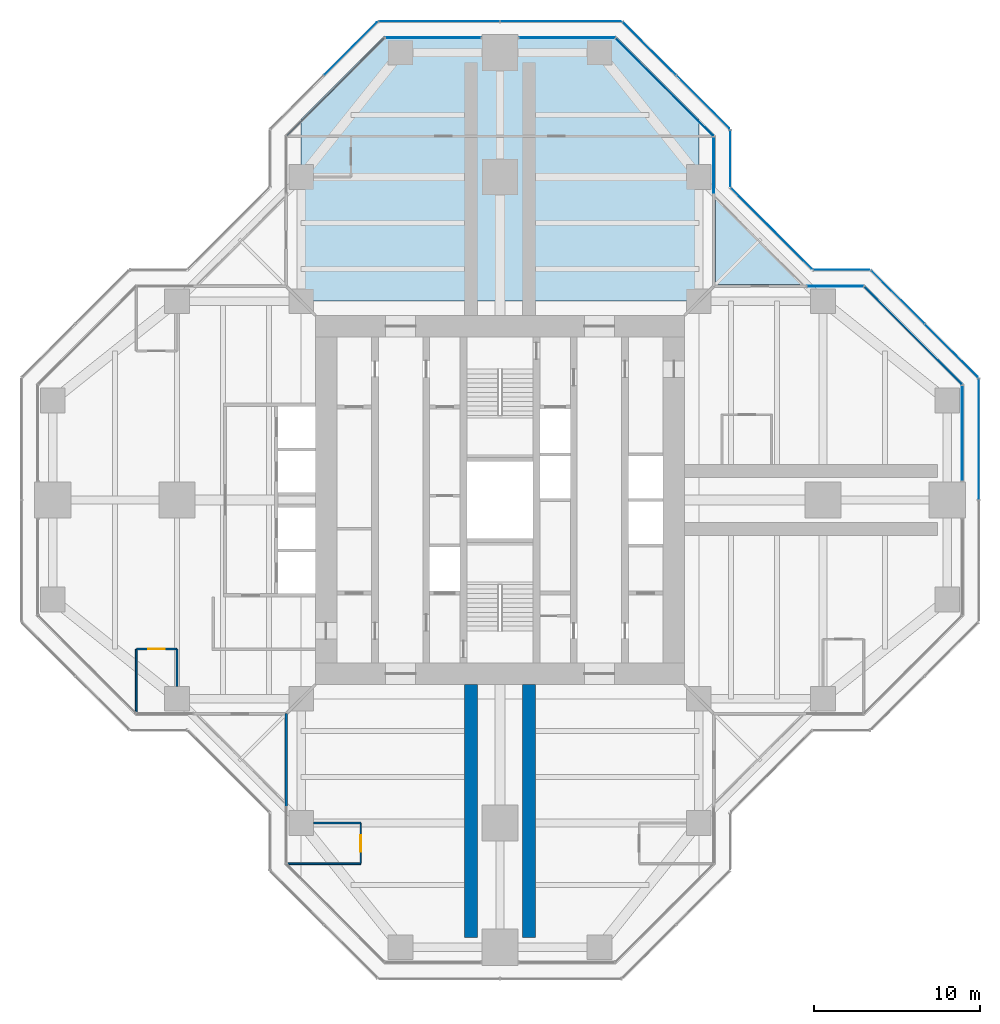
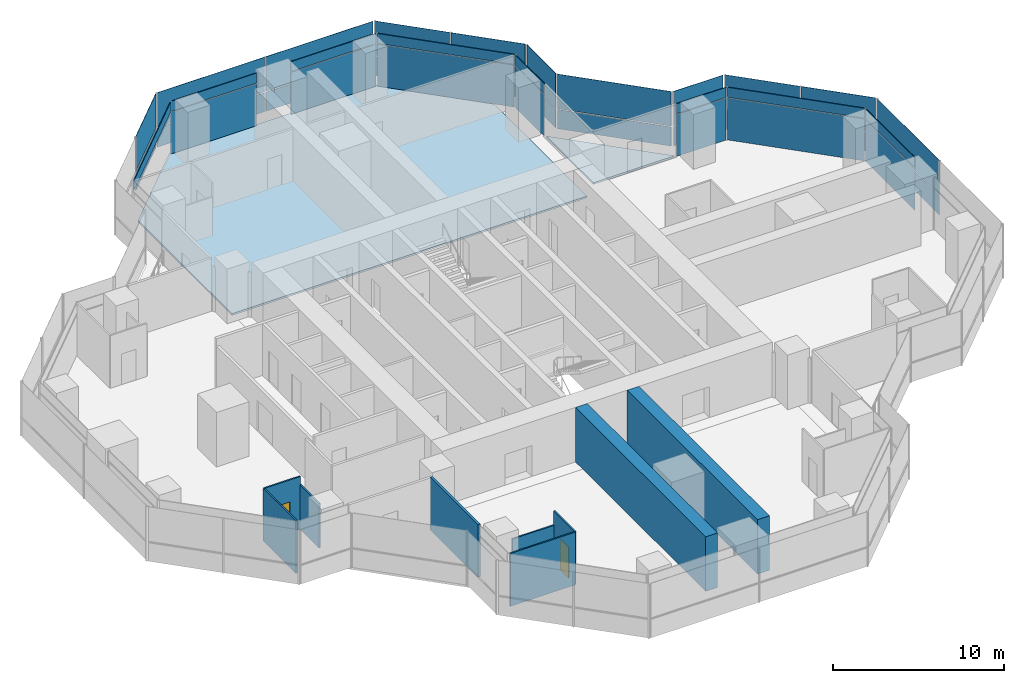
# One storey, part 12 of 17: 37 plates, 9 walls, 2 doors, 2 slabs, 2 openings, 16 elements without a shape of their own.
"""IFC4 building model written with IfcOpenShell, lengths in metres."""

from ifc_helpers import new_model, si_unit, direction, frame, frame_2d, origin, origin_2d, place, context, subcontext, project, spatial, polyline, rectangle, outline, extrude, material, layer, layer_set, type_object, element, fill, aggregate, save


model = new_model("IFC4")

# Units and contexts
model_context = context("Model", 3, precision=1e-05, world=origin(), true_north=direction((0.0, 1.0)))
body_context = subcontext(model_context, "Body", "Model", "MODEL_VIEW")
ifc_project = project(units=[si_unit("LENGTHUNIT", "METRE"), si_unit("AREAUNIT", "SQUARE_METRE"), si_unit("VOLUMEUNIT", "CUBIC_METRE"), si_unit("PLANEANGLEUNIT", "RADIAN"), si_unit("MASSUNIT", "GRAM", prefix="KILO")], contexts=[model_context])

# Site, building, storey
site_placement = place(None, origin())
site = spatial("IfcSite", under=ifc_project, at=site_placement, CompositionType="ELEMENT")
building_placement = place(site_placement, origin())
building = spatial("IfcBuilding", under=site, at=building_placement, Name="Mizan Broadcast Tower", CompositionType="ELEMENT")
storey_placement = place(building_placement, frame((0.0, 0.0, 259.5)))
storey = spatial("IfcBuildingStorey", under=building, at=storey_placement, Name="L61", CompositionType="ELEMENT", Elevation=259.5)

# Slab
ifc_material_1 = material(Name="Concrete C32/40", Category="concrete")
ifc_layer_1 = layer(ifc_material_1, 0.1298828125)
ifc_layer_set_1 = layer_set([ifc_layer_1], Name="Concrete C32/40")
slab_type_1 = type_object("IfcSlabType", Name="COMPOSITE DECK SLAB 130", PredefinedType="FLOOR", material=ifc_layer_set_1)
slab_1_placement = place(storey_placement, frame((0.0, 0.0, -0.1298828125)))
element("IfcSlab", 1, at=slab_1_placement, inside=storey, type_object=slab_type_1, Name="Floor slab L61 north arm", PredefinedType="FLOOR", context=body_context, shape_type="SweptSolid", body=[
    extrude(outline(polyline([(-7.0, 28.0), (-12.0, 23.0), (-12.0, 12.0), (12.0, 12.0), (12.0, 23.0), (7.0, 28.0), (-7.0, 28.0)])), origin(), (0.0, 0.0, 1.0), 0.1298828125),
])

# Curtain wall, plate
ifc_material_2 = material(Name="Aluminium framed glazing", Category="aluminium")
curtain_wall_type_1 = type_object("IfcCurtainWallType", Name="INNER SKIN HIGH ZONE", PredefinedType="USERDEFINED", material=ifc_material_2)
curtain_wall_1_placement = place(storey_placement, origin())
curtain_wall_1 = element("IfcCurtainWall", 2, at=curtain_wall_1_placement, inside=storey, type_object=curtain_wall_type_1, Name="Inner skin high zone L61 E end", ObjectType="INNER SKIN HIGH ZONE", PredefinedType="USERDEFINED")
ifc_material_3 = material(Name="Double glazing, clear low-e", Category="glass")
ifc_layer_2 = layer(ifc_material_3, 0.028076171875)
ifc_layer_set_2 = layer_set([ifc_layer_2], Name="Double glazing, clear low-e")
plate_type_1 = type_object("IfcPlateType", Name="INNER SKIN GLAZING UNIT", PredefinedType="CURTAIN_PANEL", material=ifc_layer_set_2)
plate_1_placement = place(storey_placement, frame((27.89990234375, 4.029296875, 0.0), z_axis=(0.0, 0.0, 1.0), x_axis=(0.0, 1.0, 0.0)))
plate_1 = element("IfcPlate", 3, at=plate_1_placement, type_object=plate_type_1, Name="Inner skin high zone L61 E end panel 1.1", PredefinedType="CURTAIN_PANEL", context=body_context, shape_type="SweptSolid", body=[
    extrude(rectangle(XDim=5.738525390625, YDim=0.028076171875, at=origin_2d()), origin(), (0.0, 0.0, 1.0), 3.0),
])

curtain_wall_2_placement = place(storey_placement, origin())
curtain_wall_2 = element("IfcCurtainWall", 4, at=curtain_wall_2_placement, inside=storey, type_object=curtain_wall_type_1, Name="Inner skin high zone L61 E chamfer", ObjectType="INNER SKIN HIGH ZONE", PredefinedType="USERDEFINED")
plate_2_placement = place(storey_placement, frame((24.92919921875, 9.92919921875, 0.0), z_axis=(0.0, 0.0, 1.0), x_axis=(-0.707106781187, 0.707106781187, 0.0)))
plate_2 = element("IfcPlate", 5, at=plate_2_placement, type_object=plate_type_1, Name="Inner skin high zone L61 E chamfer panel 1.1", PredefinedType="CURTAIN_PANEL", context=body_context, shape_type="SweptSolid", body=[
    extrude(rectangle(XDim=8.282470703125, YDim=0.028076171875, at=origin_2d()), origin(), (0.0, 0.0, 1.0), 3.0),
])

curtain_wall_3_placement = place(storey_placement, origin())
curtain_wall_3 = element("IfcCurtainWall", 6, at=curtain_wall_3_placement, inside=storey, type_object=curtain_wall_type_1, Name="Inner skin high zone L61 E side", ObjectType="INNER SKIN HIGH ZONE", PredefinedType="USERDEFINED")
plate_3_placement = place(storey_placement, frame((20.229248046875, 12.89990234375, 0.0), z_axis=(0.0, 0.0, 1.0), x_axis=(-1.0, 0.0, 0.0)))
plate_3 = element("IfcPlate", 7, at=plate_3_placement, type_object=plate_type_1, Name="Inner skin high zone L61 E side panel 1.1", PredefinedType="CURTAIN_PANEL", context=body_context, shape_type="SweptSolid", body=[
    extrude(rectangle(XDim=3.338623046875, YDim=0.028076171875, at=origin_2d()), origin(), (0.0, 0.0, 1.0), 3.0),
])

curtain_wall_4_placement = place(storey_placement, origin())
curtain_wall_4 = element("IfcCurtainWall", 8, at=curtain_wall_4_placement, inside=storey, type_object=curtain_wall_type_1, Name="Inner skin high zone L61 N side", ObjectType="INNER SKIN HIGH ZONE", PredefinedType="USERDEFINED")
plate_4_placement = place(storey_placement, frame((12.89990234375, 20.229248046875, 0.0), z_axis=(0.0, 0.0, 1.0), x_axis=(0.0, 1.0, 0.0)))
plate_4 = element("IfcPlate", 9, at=plate_4_placement, type_object=plate_type_1, Name="Inner skin high zone L61 N side panel 1.1", PredefinedType="CURTAIN_PANEL", context=body_context, shape_type="SweptSolid", body=[
    extrude(rectangle(XDim=3.338623046875, YDim=0.028076171875, at=origin_2d()), origin(), (0.0, 0.0, 1.0), 3.0),
])

curtain_wall_5_placement = place(storey_placement, origin())
curtain_wall_5 = element("IfcCurtainWall", 10, at=curtain_wall_5_placement, inside=storey, type_object=curtain_wall_type_1, Name="Inner skin high zone L61 N chamfer", ObjectType="INNER SKIN HIGH ZONE", PredefinedType="USERDEFINED")
plate_5_placement = place(storey_placement, frame((9.92919921875, 24.92919921875, 0.0), z_axis=(0.0, 0.0, 1.0), x_axis=(-0.707106781187, 0.707106781187, 0.0)))
plate_5 = element("IfcPlate", 11, at=plate_5_placement, type_object=plate_type_1, Name="Inner skin high zone L61 N chamfer panel 1.1", PredefinedType="CURTAIN_PANEL", context=body_context, shape_type="SweptSolid", body=[
    extrude(rectangle(XDim=8.282470703125, YDim=0.028076171875, at=origin_2d()), origin(), (0.0, 0.0, 1.0), 3.0),
])

curtain_wall_6_placement = place(storey_placement, origin())
curtain_wall_6 = element("IfcCurtainWall", 12, at=curtain_wall_6_placement, inside=storey, type_object=curtain_wall_type_1, Name="Inner skin high zone L61 N end", ObjectType="INNER SKIN HIGH ZONE", PredefinedType="USERDEFINED")
plate_6_placement = place(storey_placement, frame((4.029296875, 27.89990234375, 0.0), z_axis=(0.0, 0.0, 1.0), x_axis=(-1.0, 0.0, 0.0)))
plate_6 = element("IfcPlate", 13, at=plate_6_placement, type_object=plate_type_1, Name="Inner skin high zone L61 N end panel 1.1", PredefinedType="CURTAIN_PANEL", context=body_context, shape_type="SweptSolid", body=[
    extrude(rectangle(XDim=5.738525390625, YDim=0.028076171875, at=origin_2d()), origin(), (0.0, 0.0, 1.0), 3.0),
])

curtain_wall_7_placement = place(storey_placement, origin())
curtain_wall_7 = element("IfcCurtainWall", 14, at=curtain_wall_7_placement, inside=storey, type_object=curtain_wall_type_1, Name="Inner skin high zone L61 N end", ObjectType="INNER SKIN HIGH ZONE", PredefinedType="USERDEFINED")
plate_7_placement = place(storey_placement, frame((-4.029296875, 27.89990234375, 0.0), z_axis=(0.0, 0.0, 1.0), x_axis=(-1.0, 0.0, 0.0)))
plate_7 = element("IfcPlate", 15, at=plate_7_placement, type_object=plate_type_1, Name="Inner skin high zone L61 N end panel 1.1", PredefinedType="CURTAIN_PANEL", context=body_context, shape_type="SweptSolid", body=[
    extrude(rectangle(XDim=5.738525390625, YDim=0.028076171875, at=origin_2d()), origin(), (0.0, 0.0, 1.0), 3.0),
])

# Plate
ifc_material_4 = material(Name="Insulated aluminium spandrel panel, pale anodised", Category="aluminium")
ifc_layer_3 = layer(ifc_material_4, 0.050048828125)
ifc_layer_set_3 = layer_set([ifc_layer_3], Name="Insulated aluminium spandrel panel, pale anodised")
plate_type_2 = type_object("IfcPlateType", Name="INNER SKIN SPANDREL PANEL", PredefinedType="CURTAIN_PANEL", material=ifc_layer_set_3)
plate_8_placement = place(storey_placement, frame((27.89990234375, 4.029296875, 3.06005859375), z_axis=(0.0, 0.0, 1.0), x_axis=(0.0, 1.0, 0.0)))
plate_8 = element("IfcPlate", 16, at=plate_8_placement, type_object=plate_type_2, Name="Inner skin high zone L61 E end panel 1.2", PredefinedType="CURTAIN_PANEL", context=body_context, shape_type="SweptSolid", body=[
    extrude(rectangle(XDim=5.738525390625, YDim=0.050048828125, at=origin_2d()), origin(), (0.0, 0.0, 1.0), 0.7099609375),
])

aggregate(curtain_wall_1, [plate_1, plate_8])

plate_9_placement = place(storey_placement, frame((24.92919921875, 9.92919921875, 3.06005859375), z_axis=(0.0, 0.0, 1.0), x_axis=(-0.707106781187, 0.707106781187, 0.0)))
plate_9 = element("IfcPlate", 17, at=plate_9_placement, type_object=plate_type_2, Name="Inner skin high zone L61 E chamfer panel 1.2", PredefinedType="CURTAIN_PANEL", context=body_context, shape_type="SweptSolid", body=[
    extrude(rectangle(XDim=8.282470703125, YDim=0.050048828125, at=origin_2d()), origin(), (0.0, 0.0, 1.0), 0.7099609375),
])

aggregate(curtain_wall_2, [plate_2, plate_9])

plate_10_placement = place(storey_placement, frame((20.229248046875, 12.89990234375, 3.06005859375), z_axis=(0.0, 0.0, 1.0), x_axis=(-1.0, 0.0, 0.0)))
plate_10 = element("IfcPlate", 18, at=plate_10_placement, type_object=plate_type_2, Name="Inner skin high zone L61 E side panel 1.2", PredefinedType="CURTAIN_PANEL", context=body_context, shape_type="SweptSolid", body=[
    extrude(rectangle(XDim=3.338623046875, YDim=0.050048828125, at=origin_2d()), origin(), (0.0, 0.0, 1.0), 0.7099609375),
])

aggregate(curtain_wall_3, [plate_3, plate_10])

plate_11_placement = place(storey_placement, frame((12.89990234375, 20.229248046875, 3.06005859375), z_axis=(0.0, 0.0, 1.0), x_axis=(0.0, 1.0, 0.0)))
plate_11 = element("IfcPlate", 19, at=plate_11_placement, type_object=plate_type_2, Name="Inner skin high zone L61 N side panel 1.2", PredefinedType="CURTAIN_PANEL", context=body_context, shape_type="SweptSolid", body=[
    extrude(rectangle(XDim=3.338623046875, YDim=0.050048828125, at=origin_2d()), origin(), (0.0, 0.0, 1.0), 0.7099609375),
])

aggregate(curtain_wall_4, [plate_4, plate_11])

plate_12_placement = place(storey_placement, frame((9.92919921875, 24.92919921875, 3.06005859375), z_axis=(0.0, 0.0, 1.0), x_axis=(-0.707106781187, 0.707106781187, 0.0)))
plate_12 = element("IfcPlate", 20, at=plate_12_placement, type_object=plate_type_2, Name="Inner skin high zone L61 N chamfer panel 1.2", PredefinedType="CURTAIN_PANEL", context=body_context, shape_type="SweptSolid", body=[
    extrude(rectangle(XDim=8.282470703125, YDim=0.050048828125, at=origin_2d()), origin(), (0.0, 0.0, 1.0), 0.7099609375),
])

aggregate(curtain_wall_5, [plate_5, plate_12])

plate_13_placement = place(storey_placement, frame((4.029296875, 27.89990234375, 3.06005859375), z_axis=(0.0, 0.0, 1.0), x_axis=(-1.0, 0.0, 0.0)))
plate_13 = element("IfcPlate", 21, at=plate_13_placement, type_object=plate_type_2, Name="Inner skin high zone L61 N end panel 1.2", PredefinedType="CURTAIN_PANEL", context=body_context, shape_type="SweptSolid", body=[
    extrude(rectangle(XDim=5.738525390625, YDim=0.050048828125, at=origin_2d()), origin(), (0.0, 0.0, 1.0), 0.7099609375),
])

aggregate(curtain_wall_6, [plate_6, plate_13])

plate_14_placement = place(storey_placement, frame((-4.029296875, 27.89990234375, 3.06005859375), z_axis=(0.0, 0.0, 1.0), x_axis=(-1.0, 0.0, 0.0)))
plate_14 = element("IfcPlate", 22, at=plate_14_placement, type_object=plate_type_2, Name="Inner skin high zone L61 N end panel 1.2", PredefinedType="CURTAIN_PANEL", context=body_context, shape_type="SweptSolid", body=[
    extrude(rectangle(XDim=5.738525390625, YDim=0.050048828125, at=origin_2d()), origin(), (0.0, 0.0, 1.0), 0.7099609375),
])

aggregate(curtain_wall_7, [plate_7, plate_14])

# Curtain wall, plate
curtain_wall_8_placement = place(storey_placement, origin())
curtain_wall_8 = element("IfcCurtainWall", 23, at=curtain_wall_8_placement, inside=storey, type_object=curtain_wall_type_1, Name="Inner skin high zone L61 N chamfer", ObjectType="INNER SKIN HIGH ZONE", PredefinedType="USERDEFINED")
plate_15_placement = place(storey_placement, frame((-9.92919921875, 24.92919921875, 3.06005859375), z_axis=(0.0, 0.0, 1.0), x_axis=(-0.707106781187, -0.707106781187, 0.0)))
plate_15 = element("IfcPlate", 24, at=plate_15_placement, type_object=plate_type_2, Name="Inner skin high zone L61 N chamfer panel 1.2", PredefinedType="CURTAIN_PANEL", context=body_context, shape_type="SweptSolid", body=[
    extrude(rectangle(XDim=8.282470703125, YDim=0.050048828125, at=origin_2d()), origin(), (0.0, 0.0, 1.0), 0.7099609375),
])
aggregate(curtain_wall_8, [plate_15])

# Curtain wall, plates
ifc_material_5 = material(Name="Aluminium framed glazing", Category="aluminium")
curtain_wall_type_2 = type_object("IfcCurtainWallType", Name="OUTER SKIN", PredefinedType="USERDEFINED", material=ifc_material_5)
curtain_wall_9_placement = place(storey_placement, origin())
curtain_wall_9 = element("IfcCurtainWall", 25, at=curtain_wall_9_placement, inside=storey, type_object=curtain_wall_type_2, Name="Outer skin L61 E chamfer", ObjectType="OUTER SKIN", PredefinedType="USERDEFINED")
ifc_material_6 = material(Name="Laminated clear glass", Category="glass")
ifc_layer_4 = layer(ifc_material_6, 0.02001953125)
ifc_layer_set_4 = layer_set([ifc_layer_4], Name="Laminated clear glass")
plate_type_3 = type_object("IfcPlateType", Name="OUTER SKIN CLEAR GLASS", PredefinedType="CURTAIN_PANEL", material=ifc_layer_set_4)
plate_16_placement = place(storey_placement, frame((27.254150390625, 9.018798828125, 0.0), z_axis=(0.0, 0.0, 1.0), x_axis=(-0.707106781187, 0.707106781187, 0.0)))
plate_16 = element("IfcPlate", 26, at=plate_16_placement, type_object=plate_type_3, Name="Outer skin L61 E chamfer panel 1.1", PredefinedType="CURTAIN_PANEL", context=body_context, shape_type="SweptSolid", body=[
    extrude(rectangle(XDim=4.495361328125, YDim=0.02001953125, at=origin_2d()), origin(), (0.0, 0.0, 1.0), 1.3701171875),
])
plate_17_placement = place(storey_placement, frame((27.254150390625, 9.018798828125, 1.43017578125), z_axis=(0.0, 0.0, 1.0), x_axis=(-0.707106781187, 0.707106781187, 0.0)))
plate_17 = element("IfcPlate", 27, at=plate_17_placement, type_object=plate_type_3, Name="Outer skin L61 E chamfer panel 1.2", PredefinedType="CURTAIN_PANEL", context=body_context, shape_type="SweptSolid", body=[
    extrude(rectangle(XDim=4.495361328125, YDim=0.02001953125, at=origin_2d()), origin(), (0.0, 0.0, 1.0), 2.469970703125),
])

curtain_wall_10_placement = place(storey_placement, origin())
curtain_wall_10 = element("IfcCurtainWall", 28, at=curtain_wall_10_placement, inside=storey, type_object=curtain_wall_type_2, Name="Outer skin L61 E side", ObjectType="OUTER SKIN", PredefinedType="USERDEFINED")
plate_18_placement = place(storey_placement, frame((20.622802734375, 13.89990234375, 0.0), z_axis=(0.0, 0.0, 1.0), x_axis=(-1.0, 0.0, 0.0)))
plate_18 = element("IfcPlate", 29, at=plate_18_placement, type_object=plate_type_3, Name="Outer skin L61 E side panel 1.1", PredefinedType="CURTAIN_PANEL", context=body_context, shape_type="SweptSolid", body=[
    extrude(rectangle(XDim=3.340087890625, YDim=0.02001953125, at=origin_2d()), origin(), (0.0, 0.0, 1.0), 1.3701171875),
])
plate_19_placement = place(storey_placement, frame((20.622802734375, 13.89990234375, 1.43017578125), z_axis=(0.0, 0.0, 1.0), x_axis=(-1.0, 0.0, 0.0)))
plate_19 = element("IfcPlate", 30, at=plate_19_placement, type_object=plate_type_3, Name="Outer skin L61 E side panel 1.2", PredefinedType="CURTAIN_PANEL", context=body_context, shape_type="SweptSolid", body=[
    extrude(rectangle(XDim=3.340087890625, YDim=0.02001953125, at=origin_2d()), origin(), (0.0, 0.0, 1.0), 2.469970703125),
])
aggregate(curtain_wall_10, [plate_18, plate_19])

curtain_wall_11_placement = place(storey_placement, origin())
curtain_wall_11 = element("IfcCurtainWall", 31, at=curtain_wall_11_placement, inside=storey, type_object=curtain_wall_type_2, Name="Outer skin L61 E chamfer", ObjectType="OUTER SKIN", PredefinedType="USERDEFINED")
plate_20_placement = place(storey_placement, frame((16.386474609375, 16.386474609375, 0.0), z_axis=(0.0, 0.0, 1.0), x_axis=(-0.707106781187, 0.707106781187, 0.0)))
plate_20 = element("IfcPlate", 32, at=plate_20_placement, type_object=plate_type_3, Name="Outer skin L61 E chamfer panel 1.1", PredefinedType="CURTAIN_PANEL", context=body_context, shape_type="SweptSolid", body=[
    extrude(rectangle(XDim=6.87255859375, YDim=0.02001953125, at=origin_2d()), origin(), (0.0, 0.0, 1.0), 1.3701171875),
])
plate_21_placement = place(storey_placement, frame((16.386474609375, 16.386474609375, 1.43017578125), z_axis=(0.0, 0.0, 1.0), x_axis=(-0.707106781187, 0.707106781187, 0.0)))
plate_21 = element("IfcPlate", 33, at=plate_21_placement, type_object=plate_type_3, Name="Outer skin L61 E chamfer panel 1.2", PredefinedType="CURTAIN_PANEL", context=body_context, shape_type="SweptSolid", body=[
    extrude(rectangle(XDim=6.87255859375, YDim=0.02001953125, at=origin_2d()), origin(), (0.0, 0.0, 1.0), 2.469970703125),
])
aggregate(curtain_wall_11, [plate_20, plate_21])

curtain_wall_12_placement = place(storey_placement, origin())
curtain_wall_12 = element("IfcCurtainWall", 34, at=curtain_wall_12_placement, inside=storey, type_object=curtain_wall_type_2, Name="Outer skin L61 N side", ObjectType="OUTER SKIN", PredefinedType="USERDEFINED")
plate_22_placement = place(storey_placement, frame((13.89990234375, 20.622802734375, 0.0), z_axis=(0.0, 0.0, 1.0), x_axis=(0.0, 1.0, 0.0)))
plate_22 = element("IfcPlate", 35, at=plate_22_placement, type_object=plate_type_3, Name="Outer skin L61 N side panel 1.1", PredefinedType="CURTAIN_PANEL", context=body_context, shape_type="SweptSolid", body=[
    extrude(rectangle(XDim=3.340087890625, YDim=0.02001953125, at=origin_2d()), origin(), (0.0, 0.0, 1.0), 1.3701171875),
])
plate_23_placement = place(storey_placement, frame((13.89990234375, 20.622802734375, 1.43017578125), z_axis=(0.0, 0.0, 1.0), x_axis=(0.0, 1.0, 0.0)))
plate_23 = element("IfcPlate", 36, at=plate_23_placement, type_object=plate_type_3, Name="Outer skin L61 N side panel 1.2", PredefinedType="CURTAIN_PANEL", context=body_context, shape_type="SweptSolid", body=[
    extrude(rectangle(XDim=3.340087890625, YDim=0.02001953125, at=origin_2d()), origin(), (0.0, 0.0, 1.0), 2.469970703125),
])
aggregate(curtain_wall_12, [plate_22, plate_23])

curtain_wall_13_placement = place(storey_placement, origin())
curtain_wall_13 = element("IfcCurtainWall", 37, at=curtain_wall_13_placement, inside=storey, type_object=curtain_wall_type_2, Name="Outer skin L61 N chamfer", ObjectType="OUTER SKIN", PredefinedType="USERDEFINED")
plate_24_placement = place(storey_placement, frame((12.254150390625, 24.018798828125, 0.0), z_axis=(0.0, 0.0, 1.0), x_axis=(-0.707106781187, 0.707106781187, 0.0)))
plate_24 = element("IfcPlate", 38, at=plate_24_placement, type_object=plate_type_3, Name="Outer skin L61 N chamfer panel 1.1", PredefinedType="CURTAIN_PANEL", context=body_context, shape_type="SweptSolid", body=[
    extrude(rectangle(XDim=4.495361328125, YDim=0.02001953125, at=origin_2d()), origin(), (0.0, 0.0, 1.0), 1.3701171875),
])
plate_25_placement = place(storey_placement, frame((12.254150390625, 24.018798828125, 1.43017578125), z_axis=(0.0, 0.0, 1.0), x_axis=(-0.707106781187, 0.707106781187, 0.0)))
plate_25 = element("IfcPlate", 39, at=plate_25_placement, type_object=plate_type_3, Name="Outer skin L61 N chamfer panel 1.2", PredefinedType="CURTAIN_PANEL", context=body_context, shape_type="SweptSolid", body=[
    extrude(rectangle(XDim=4.495361328125, YDim=0.02001953125, at=origin_2d()), origin(), (0.0, 0.0, 1.0), 2.469970703125),
])

curtain_wall_14_placement = place(storey_placement, origin())
curtain_wall_14 = element("IfcCurtainWall", 40, at=curtain_wall_14_placement, inside=storey, type_object=curtain_wall_type_2, Name="Outer skin L61 N end", ObjectType="OUTER SKIN", PredefinedType="USERDEFINED")
plate_26_placement = place(storey_placement, frame((3.66650390625, 28.89990234375, 0.0), z_axis=(0.0, 0.0, 1.0), x_axis=(-1.0, 0.0, 0.0)))
plate_26 = element("IfcPlate", 41, at=plate_26_placement, type_object=plate_type_3, Name="Outer skin L61 N end panel 1.1", PredefinedType="CURTAIN_PANEL", context=body_context, shape_type="SweptSolid", body=[
    extrude(rectangle(XDim=7.252685546875, YDim=0.02001953125, at=origin_2d()), origin(), (0.0, 0.0, 1.0), 1.3701171875),
])
plate_27_placement = place(storey_placement, frame((3.66650390625, 28.89990234375, 1.43017578125), z_axis=(0.0, 0.0, 1.0), x_axis=(-1.0, 0.0, 0.0)))
plate_27 = element("IfcPlate", 42, at=plate_27_placement, type_object=plate_type_3, Name="Outer skin L61 N end panel 1.2", PredefinedType="CURTAIN_PANEL", context=body_context, shape_type="SweptSolid", body=[
    extrude(rectangle(XDim=7.252685546875, YDim=0.02001953125, at=origin_2d()), origin(), (0.0, 0.0, 1.0), 2.469970703125),
])
plate_28_placement = place(storey_placement, frame((-3.66650390625, 28.89990234375, 0.0), z_axis=(0.0, 0.0, 1.0), x_axis=(-1.0, 0.0, 0.0)))
plate_28 = element("IfcPlate", 43, at=plate_28_placement, type_object=plate_type_3, Name="Outer skin L61 N end panel 2.1", PredefinedType="CURTAIN_PANEL", context=body_context, shape_type="SweptSolid", body=[
    extrude(rectangle(XDim=7.252685546875, YDim=0.02001953125, at=origin_2d()), origin(), (0.0, 0.0, 1.0), 1.3701171875),
])
plate_29_placement = place(storey_placement, frame((-3.66650390625, 28.89990234375, 1.43017578125), z_axis=(0.0, 0.0, 1.0), x_axis=(-1.0, 0.0, 0.0)))
plate_29 = element("IfcPlate", 44, at=plate_29_placement, type_object=plate_type_3, Name="Outer skin L61 N end panel 2.2", PredefinedType="CURTAIN_PANEL", context=body_context, shape_type="SweptSolid", body=[
    extrude(rectangle(XDim=7.252685546875, YDim=0.02001953125, at=origin_2d()), origin(), (0.0, 0.0, 1.0), 2.469970703125),
])
aggregate(curtain_wall_14, [plate_26, plate_27, plate_28, plate_29])

curtain_wall_15_placement = place(storey_placement, origin())
curtain_wall_15 = element("IfcCurtainWall", 45, at=curtain_wall_15_placement, inside=storey, type_object=curtain_wall_type_2, Name="Outer skin L61 N chamfer", ObjectType="OUTER SKIN", PredefinedType="USERDEFINED")
plate_30_placement = place(storey_placement, frame((-9.018798828125, 27.254150390625, 0.0), z_axis=(0.0, 0.0, 1.0), x_axis=(-0.707106781187, -0.707106781187, 0.0)))
plate_30 = element("IfcPlate", 46, at=plate_30_placement, type_object=plate_type_3, Name="Outer skin L61 N chamfer panel 1.1", PredefinedType="CURTAIN_PANEL", context=body_context, shape_type="SweptSolid", body=[
    extrude(rectangle(XDim=4.495361328125, YDim=0.02001953125, at=origin_2d()), origin(), (0.0, 0.0, 1.0), 1.3701171875),
])
plate_31_placement = place(storey_placement, frame((-9.018798828125, 27.254150390625, 1.43017578125), z_axis=(0.0, 0.0, 1.0), x_axis=(-0.707106781187, -0.707106781187, 0.0)))
plate_31 = element("IfcPlate", 47, at=plate_31_placement, type_object=plate_type_3, Name="Outer skin L61 N chamfer panel 1.2", PredefinedType="CURTAIN_PANEL", context=body_context, shape_type="SweptSolid", body=[
    extrude(rectangle(XDim=4.495361328125, YDim=0.02001953125, at=origin_2d()), origin(), (0.0, 0.0, 1.0), 2.469970703125),
])
aggregate(curtain_wall_15, [plate_30, plate_31])

curtain_wall_16_placement = place(storey_placement, origin())
curtain_wall_16 = element("IfcCurtainWall", 48, at=curtain_wall_16_placement, inside=storey, type_object=curtain_wall_type_2, Name="Outer skin L61 E end", ObjectType="OUTER SKIN", PredefinedType="USERDEFINED")
ifc_material_7 = material(Name="Perforated aluminium, pale anodised", Category="aluminium")
ifc_layer_5 = layer(ifc_material_7, 0.011962890625)
ifc_layer_set_5 = layer_set([ifc_layer_5], Name="Perforated aluminium, pale anodised")
plate_type_4 = type_object("IfcPlateType", Name="OUTER SKIN PERFORATED SCREEN", PredefinedType="USERDEFINED", material=ifc_layer_set_5)
plate_32_placement = place(storey_placement, frame((28.89990234375, 3.66650390625, 0.0), z_axis=(0.0, 0.0, 1.0), x_axis=(0.0, 1.0, 0.0)))
plate_32 = element("IfcPlate", 49, at=plate_32_placement, type_object=plate_type_4, Name="Outer skin L61 E end panel 2.1", ObjectType="SCREEN", PredefinedType="USERDEFINED", context=body_context, shape_type="SweptSolid", body=[
    extrude(rectangle(XDim=7.252685546875, YDim=0.011962890625, at=origin_2d()), origin(), (0.0, 0.0, 1.0), 1.3701171875),
])
plate_33_placement = place(storey_placement, frame((28.89990234375, 3.66650390625, 1.43017578125), z_axis=(0.0, 0.0, 1.0), x_axis=(0.0, 1.0, 0.0)))
plate_33 = element("IfcPlate", 50, at=plate_33_placement, type_object=plate_type_4, Name="Outer skin L61 E end panel 2.2", ObjectType="SCREEN", PredefinedType="USERDEFINED", context=body_context, shape_type="SweptSolid", body=[
    extrude(rectangle(XDim=7.252685546875, YDim=0.011962890625, at=origin_2d()), origin(), (0.0, 0.0, 1.0), 2.469970703125),
])
aggregate(curtain_wall_16, [plate_32, plate_33])

# Plate
plate_34_placement = place(storey_placement, frame((24.018798828125, 12.254150390625, 0.0), z_axis=(0.0, 0.0, 1.0), x_axis=(-0.707106781187, 0.707106781187, 0.0)))
plate_34 = element("IfcPlate", 51, at=plate_34_placement, type_object=plate_type_4, Name="Outer skin L61 E chamfer panel 2.1", ObjectType="SCREEN", PredefinedType="USERDEFINED", context=body_context, shape_type="SweptSolid", body=[
    extrude(rectangle(XDim=4.495361328125, YDim=0.011962890625, at=origin_2d()), origin(), (0.0, 0.0, 1.0), 1.3701171875),
])

plate_35_placement = place(storey_placement, frame((24.018798828125, 12.254150390625, 1.43017578125), z_axis=(0.0, 0.0, 1.0), x_axis=(-0.707106781187, 0.707106781187, 0.0)))
plate_35 = element("IfcPlate", 52, at=plate_35_placement, type_object=plate_type_4, Name="Outer skin L61 E chamfer panel 2.2", ObjectType="SCREEN", PredefinedType="USERDEFINED", context=body_context, shape_type="SweptSolid", body=[
    extrude(rectangle(XDim=4.495361328125, YDim=0.011962890625, at=origin_2d()), origin(), (0.0, 0.0, 1.0), 2.469970703125),
])

aggregate(curtain_wall_9, [plate_16, plate_17, plate_34, plate_35])

plate_36_placement = place(storey_placement, frame((9.018798828125, 27.254150390625, 0.0), z_axis=(0.0, 0.0, 1.0), x_axis=(-0.707106781187, 0.707106781187, 0.0)))
plate_36 = element("IfcPlate", 53, at=plate_36_placement, type_object=plate_type_4, Name="Outer skin L61 N chamfer panel 2.1", ObjectType="SCREEN", PredefinedType="USERDEFINED", context=body_context, shape_type="SweptSolid", body=[
    extrude(rectangle(XDim=4.495361328125, YDim=0.011962890625, at=origin_2d()), origin(), (0.0, 0.0, 1.0), 1.3701171875),
])

plate_37_placement = place(storey_placement, frame((9.018798828125, 27.254150390625, 1.43017578125), z_axis=(0.0, 0.0, 1.0), x_axis=(-0.707106781187, 0.707106781187, 0.0)))
plate_37 = element("IfcPlate", 54, at=plate_37_placement, type_object=plate_type_4, Name="Outer skin L61 N chamfer panel 2.2", ObjectType="SCREEN", PredefinedType="USERDEFINED", context=body_context, shape_type="SweptSolid", body=[
    extrude(rectangle(XDim=4.495361328125, YDim=0.011962890625, at=origin_2d()), origin(), (0.0, 0.0, 1.0), 2.469970703125),
])

aggregate(curtain_wall_13, [plate_24, plate_25, plate_36, plate_37])

# Slab
ifc_material_8 = material(Name="Concrete C32/40", Category="concrete")
ifc_layer_6 = layer(ifc_material_8, 0.1298828125)
ifc_layer_set_6 = layer_set([ifc_layer_6], Name="Concrete C32/40")
slab_type_2 = type_object("IfcSlabType", Name="WINTER GARDEN SLAB 130", PredefinedType="FLOOR", material=ifc_layer_set_6)
slab_2_placement = place(storey_placement, frame((0.0, 0.0, -0.1298828125)))
element("IfcSlab", 55, at=slab_2_placement, inside=storey, type_object=slab_type_2, Name="Winter garden slab L61 E", PredefinedType="FLOOR", context=body_context, shape_type="SweptSolid", body=[
    extrude(outline(polyline([(13.0, 13.0), (18.5, 13.0), (13.0, 18.5), (13.0, 13.0)])), origin(), (0.0, 0.0, 1.0), 0.1298828125),
])

# Wall
ifc_material_9 = material(Name="Aluminium framed glazed screen", Category="aluminium")
ifc_layer_7 = layer(ifc_material_9, 0.159912109375)
ifc_layer_set_7 = layer_set([ifc_layer_7], Name="Aluminium framed glazed screen")
wall_type_1 = type_object("IfcWallType", Name="GLAZED SCREEN WALL 160", PredefinedType="SOLIDWALL", material=ifc_layer_set_7)
wall_1_placement = place(storey_placement, frame((-12.89990234375, -12.89990234375, 0.0), z_axis=(0.0, 0.0, 1.0), x_axis=(0.0, -1.0, 0.0)))
element("IfcWall", 56, at=wall_1_placement, inside=storey, type_object=wall_type_1, Name="Winter garden screen L61 S", PredefinedType="SOLIDWALL", context=body_context, shape_type="SweptSolid", body=[
    extrude(rectangle(XDim=5.60009765625, YDim=0.159912109375, at=frame_2d((2.800048828125, 0.0))), origin(), (0.0, 0.0, 1.0), 3.77001953125),
])

# Wall, opening, door
ifc_material_10 = material(Name="Glazed aluminium partition on aluminium track", Category="aluminium")
ifc_layer_8 = layer(ifc_material_10, 0.10009765625)
ifc_layer_set_8 = layer_set([ifc_layer_8], Name="Glazed aluminium partition on aluminium track")
wall_type_2 = type_object("IfcWallType", Name="PARTITION GLAZED OFFICE FRONT 100", PredefinedType="PARTITIONING", material=ifc_layer_set_8)
wall_2_placement = place(storey_placement, frame((-19.5, -9.0, 0.0), z_axis=(0.0, 0.0, 1.0), x_axis=(-1.0, 0.0, 0.0)))
wall_2 = element("IfcWall", 57, at=wall_2_placement, inside=storey, type_object=wall_type_2, Name="Glazed office front PT/WCP0", PredefinedType="PARTITIONING", context=body_context, shape_type="SweptSolid", body=[
    extrude(rectangle(XDim=2.458984375, YDim=0.10009765625, at=frame_2d((1.2294921875, 0.0))), origin(), (0.0, 0.0, 1.0), 3.77001953125),
])
opening_1_placement = place(wall_2_placement, frame((0.7294921875, 0.0, 0.0)))
opening_1 = element("IfcOpeningElement", 58, at=opening_1_placement, cuts=wall_2, Name="Opening D10O", PredefinedType="OPENING", context=body_context, shape_type="SweptSolid", body=[
    extrude(rectangle(XDim=1.0, YDim=2.199951171875, at=frame_2d((0.5, 1.10009765625))), frame((0.0, 0.06005859375, 0.0), z_axis=(0.0, -1.0, 0.0), x_axis=(1.0, 0.0, 0.0)), (0.0, 0.0, 1.0), 0.1201171875),
])
ifc_material_11 = material(Name="Timber door leaf in aluminium frame", Category="wood")
door_type = type_object("IfcDoorType", Name="OFFICE DOOR 1000 GLAZED", OperationType="SINGLE_SWING_LEFT", PredefinedType="DOOR", material=ifc_material_11)
door_1_placement = place(opening_1_placement, origin())
door_1 = element("IfcDoor", 59, at=door_1_placement, inside=storey, type_object=door_type, Name="Tenant dining room door", OperationType="SINGLE_SWING_LEFT", OverallHeight=2.199951171875, OverallWidth=1.0, PredefinedType="DOOR", context=body_context, shape_type="SweptSolid", body=[
    extrude(rectangle(XDim=1.0, YDim=2.199951171875, at=frame_2d((0.5, 1.10009765625))), frame((0.0, 0.02490234375, 0.0), z_axis=(0.0, -1.0, 0.0), x_axis=(1.0, 0.0, 0.0)), (0.0, 0.0, 1.0), 0.050048828125),
])
fill(opening_1, door_1)

# Walls
wall_3_placement = place(storey_placement, frame((-19.5, -9.0, 0.0), z_axis=(0.0, 0.0, 1.0), x_axis=(0.0, -1.0, 0.0)))
element("IfcWall", 60, at=wall_3_placement, inside=storey, type_object=wall_type_2, Name="Glazed office front PT/WQP1950", PredefinedType="PARTITIONING", context=body_context, shape_type="SweptSolid", body=[
    extrude(rectangle(XDim=2.25, YDim=0.10009765625, at=frame_2d((1.125, 0.0))), origin(), (0.0, 0.0, 1.0), 3.179931640625),
])
wall_4_placement = place(storey_placement, frame((-21.958984375, -9.0, 0.0), z_axis=(0.0, 0.0, 1.0), x_axis=(0.0, -1.0, 0.0)))
element("IfcWall", 61, at=wall_4_placement, inside=storey, type_object=wall_type_2, Name="Glazed office front PT/WQP2196", PredefinedType="PARTITIONING", context=body_context, shape_type="SweptSolid", body=[
    extrude(rectangle(XDim=3.820068359375, YDim=0.10009765625, at=frame_2d((1.91015625, 0.0))), origin(), (0.0, 0.0, 1.0), 3.77001953125),
])

# Wall, opening, door
wall_5_placement = place(storey_placement, frame((-8.39990234375, -19.5, 0.0), z_axis=(0.0, 0.0, 1.0), x_axis=(0.0, -1.0, 0.0)))
wall_5 = element("IfcWall", 62, at=wall_5_placement, inside=storey, type_object=wall_type_2, Name="Glazed office front PT/SCN0", PredefinedType="PARTITIONING", context=body_context, shape_type="SweptSolid", body=[
    extrude(rectangle(XDim=2.458984375, YDim=0.10009765625, at=frame_2d((1.2294921875, 0.0))), origin(), (0.0, 0.0, 1.0), 3.77001953125),
])
opening_2_placement = place(wall_5_placement, frame((0.7294921875, 0.0, 0.0)))
opening_2 = element("IfcOpeningElement", 63, at=opening_2_placement, cuts=wall_5, Name="Opening D10O", PredefinedType="OPENING", context=body_context, shape_type="SweptSolid", body=[
    extrude(rectangle(XDim=1.0, YDim=2.199951171875, at=frame_2d((0.5, 1.10009765625))), frame((0.0, 0.06005859375, 0.0), z_axis=(0.0, -1.0, 0.0), x_axis=(1.0, 0.0, 0.0)), (0.0, 0.0, 1.0), 0.1201171875),
])
door_2_placement = place(opening_2_placement, origin())
door_2 = element("IfcDoor", 64, at=door_2_placement, inside=storey, type_object=door_type, Name="Tenant meeting room door", OperationType="SINGLE_SWING_LEFT", OverallHeight=2.199951171875, OverallWidth=1.0, PredefinedType="DOOR", context=body_context, shape_type="SweptSolid", body=[
    extrude(rectangle(XDim=1.0, YDim=2.199951171875, at=frame_2d((0.5, 1.10009765625))), frame((0.0, 0.02490234375, 0.0), z_axis=(0.0, -1.0, 0.0), x_axis=(1.0, 0.0, 0.0)), (0.0, 0.0, 1.0), 0.050048828125),
])
fill(opening_2, door_2)

# Walls
wall_6_placement = place(storey_placement, frame((-8.39990234375, -19.5, 0.0), z_axis=(0.0, 0.0, 1.0), x_axis=(-1.0, 0.0, 0.0)))
element("IfcWall", 65, at=wall_6_placement, inside=storey, type_object=wall_type_2, Name="Glazed office front PT/SQN1950", PredefinedType="PARTITIONING", context=body_context, shape_type="SweptSolid", body=[
    extrude(rectangle(XDim=2.85009765625, YDim=0.10009765625, at=frame_2d((1.425048828125, 0.0))), origin(), (0.0, 0.0, 1.0), 2.77001953125),
])
wall_7_placement = place(storey_placement, frame((-8.39990234375, -21.958984375, 0.0), z_axis=(0.0, 0.0, 1.0), x_axis=(-1.0, 0.0, 0.0)))
element("IfcWall", 66, at=wall_7_placement, inside=storey, type_object=wall_type_2, Name="Glazed office front PT/SQN2196", PredefinedType="PARTITIONING", context=body_context, shape_type="SweptSolid", body=[
    extrude(rectangle(XDim=4.420166015625, YDim=0.10009765625, at=frame_2d((2.2099609375, 0.0))), origin(), (0.0, 0.0, 1.0), 3.77001953125),
])
ifc_material_12 = material(Name="Concrete C70/85", Category="concrete")
ifc_layer_9 = layer(ifc_material_12, 0.800048828125)
ifc_layer_set_9 = layer_set([ifc_layer_9], Name="Concrete C70/85")
wall_type_3 = type_object("IfcWallType", Name="SPINE WALL 800", PredefinedType="SHEAR", material=ifc_layer_set_9)
for number, where, z_axis, x_axis, name in (
    (67, (-1.75, -11.14990234375, 0.0), (0.0, 0.0, 1.0), (0.0, -1.0, 0.0), "Spine wall SR L61"),
    (68, (1.75, -11.14990234375, 0.0), (0.0, 0.0, 1.0), (0.0, -1.0, 0.0), "Spine wall SL L61"),
):
    element("IfcWall", number, at=place(storey_placement, frame(where, z_axis=z_axis, x_axis=x_axis)), inside=storey, type_object=wall_type_3, Name=name, PredefinedType="SHEAR", context=body_context, shape_type="SweptSolid", body=[
        extrude(rectangle(XDim=15.25, YDim=0.800048828125, at=frame_2d((7.625, 0.0))), origin(), (0.0, 0.0, 1.0), 3.89990234375),
    ])

save(model, "model.ifc")
